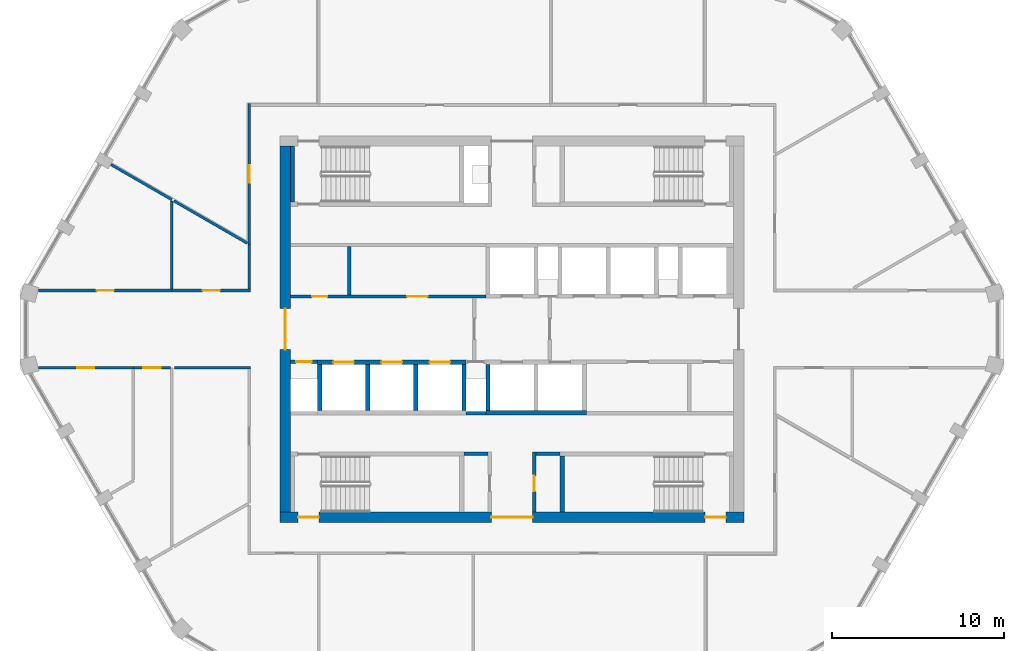
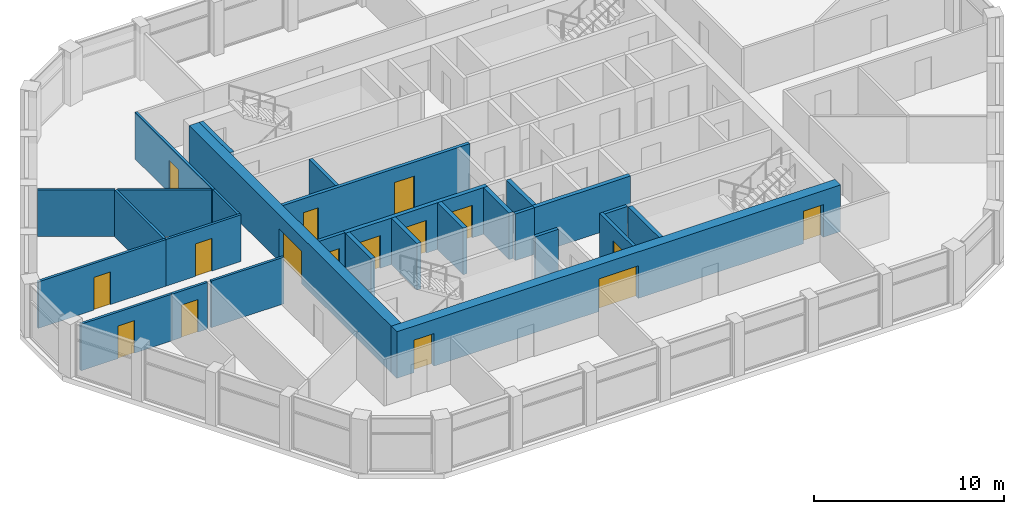
# One storey, part 9 of 15: 28 walls, 16 doors, 16 openings.
"""IFC4 building model written with IfcOpenShell, lengths in metres."""

from ifc_helpers import new_model, si_unit, direction, frame, frame_2d, origin, place, context, subcontext, project, spatial, polyline, rectangle, outline, extrude, material, layer, layer_set, type_object, element, fill, save


model = new_model("IFC4")

# Units and contexts
model_context = context("Model", 3, precision=1e-05, world=origin(), true_north=direction((0.0, 1.0)))
body_context = subcontext(model_context, "Body", "Model", "MODEL_VIEW")
ifc_project = project(units=[si_unit("LENGTHUNIT", "METRE"), si_unit("AREAUNIT", "SQUARE_METRE"), si_unit("VOLUMEUNIT", "CUBIC_METRE"), si_unit("PLANEANGLEUNIT", "RADIAN"), si_unit("MASSUNIT", "GRAM", prefix="KILO")], contexts=[model_context])

# Site, building, storey
site_placement = place(None, origin())
site = spatial("IfcSite", under=ifc_project, at=site_placement, CompositionType="ELEMENT")
building_placement = place(site_placement, origin())
building = spatial("IfcBuilding", under=site, at=building_placement, Name="Dhurran Vertical Campus", CompositionType="ELEMENT")
storey_placement = place(building_placement, frame((0.0, 0.0, 306.0)))
storey = spatial("IfcBuildingStorey", under=building, at=storey_placement, Name="L76", CompositionType="ELEMENT", Elevation=306.0)

# Wall, openings, doors
ifc_material_1 = material(Name="Concrete C50/60", Category="concrete")
ifc_layer_1 = layer(ifc_material_1, 0.60009765625)
ifc_layer_set_1 = layer_set([ifc_layer_1], Name="Concrete C50/60")
wall_type_1 = type_object("IfcWallType", Name="co-CORE-WALL-C2-600", PredefinedType="SHEAR", material=ifc_layer_set_1)
wall_1_placement = place(storey_placement, frame((-13.5, -10.949951171875, 0.0), z_axis=(0.0, 0.0, 1.0), x_axis=(1.0, 0.0, 0.0)))
wall_1 = element("IfcWall", 1, at=wall_1_placement, inside=storey, type_object=wall_type_1, Name="Core wall S L76", PredefinedType="SHEAR", context=body_context, shape_type="SweptSolid", body=[
    extrude(rectangle(XDim=27.0, YDim=0.60009765625, at=frame_2d((13.5, 0.0))), origin(), (0.0, 0.0, 1.0), 3.0),
])
opening_1_placement = place(wall_1_placement, frame((12.300048828125, 0.0, 0.0)))
opening_1 = element("IfcOpeningElement", 2, at=opening_1_placement, cuts=wall_1, Name="Opening CV2", PredefinedType="OPENING", context=body_context, shape_type="SweptSolid", body=[
    extrude(rectangle(XDim=2.39990234375, YDim=2.10009765625, at=frame_2d((1.199951171875, 1.050048828125))), frame((0.0, 0.31005859375, 0.0), z_axis=(0.0, -1.0, 0.0), x_axis=(1.0, 0.0, 0.0)), (0.0, 0.0, 1.0), 0.6201171875),
])
opening_2_placement = place(wall_1_placement, frame((1.050048828125, 0.0, 0.0)))
opening_2 = element("IfcOpeningElement", 3, at=opening_2_placement, cuts=wall_1, Name="Opening XD3", PredefinedType="OPENING", context=body_context, shape_type="SweptSolid", body=[
    extrude(rectangle(XDim=1.199951171875, YDim=2.10009765625, at=frame_2d((0.60009765625, 1.050048828125))), frame((0.0, 0.31005859375, 0.0), z_axis=(0.0, -1.0, 0.0), x_axis=(1.0, 0.0, 0.0)), (0.0, 0.0, 1.0), 0.6201171875),
])
opening_3_placement = place(wall_1_placement, frame((24.75, 0.0, 0.0)))
opening_3 = element("IfcOpeningElement", 4, at=opening_3_placement, cuts=wall_1, Name="Opening XD4", PredefinedType="OPENING", context=body_context, shape_type="SweptSolid", body=[
    extrude(rectangle(XDim=1.199951171875, YDim=2.10009765625, at=frame_2d((0.60009765625, 1.050048828125))), frame((0.0, 0.31005859375, 0.0), z_axis=(0.0, -1.0, 0.0), x_axis=(1.0, 0.0, 0.0)), (0.0, 0.0, 1.0), 0.6201171875),
])
ifc_material_2 = material(Name="Fire-rated glazed door set")
door_type_1 = type_object("IfcDoorType", Name="co-D-LOBBY 2400x2100", OperationType="DOUBLE_DOOR_DOUBLE_SWING", PredefinedType="DOOR", material=ifc_material_2)
door_1_placement = place(opening_1_placement, origin())
door_1 = element("IfcDoor", 5, at=door_1_placement, inside=storey, type_object=door_type_1, Name="Core vestibule door S L76", OperationType="DOUBLE_DOOR_DOUBLE_SWING", OverallHeight=2.10009765625, OverallWidth=2.39990234375, PredefinedType="DOOR", context=body_context, shape_type="SweptSolid", body=[
    extrude(rectangle(XDim=2.39990234375, YDim=2.10009765625, at=frame_2d((1.199951171875, 1.050048828125))), frame((0.0, 0.02490234375, 0.0), z_axis=(0.0, -1.0, 0.0), x_axis=(1.0, 0.0, 0.0)), (0.0, 0.0, 1.0), 0.050048828125),
])
fill(opening_1, door_1)
ifc_material_3 = material(Name="Fire-rated steel door set", Category="steel")
door_type_2 = type_object("IfcDoorType", Name="co-D-STAIR-EXIT 1200x2100", OperationType="SINGLE_SWING_RIGHT", PredefinedType="DOOR", material=ifc_material_3)
door_2_placement = place(opening_2_placement, origin())
door_2 = element("IfcDoor", 6, at=door_2_placement, inside=storey, type_object=door_type_2, Name="Stair ST3 exit door L76", OperationType="SINGLE_SWING_RIGHT", OverallHeight=2.10009765625, OverallWidth=1.199951171875, PredefinedType="DOOR", context=body_context, shape_type="SweptSolid", body=[
    extrude(rectangle(XDim=1.199951171875, YDim=2.10009765625, at=frame_2d((0.60009765625, 1.050048828125))), frame((0.0, 0.02490234375, 0.0), z_axis=(0.0, -1.0, 0.0), x_axis=(1.0, 0.0, 0.0)), (0.0, 0.0, 1.0), 0.050048828125),
])
fill(opening_2, door_2)
door_3_placement = place(opening_3_placement, origin())
door_3 = element("IfcDoor", 7, at=door_3_placement, inside=storey, type_object=door_type_2, Name="Stair ST4 exit door L76", OperationType="SINGLE_SWING_RIGHT", OverallHeight=2.10009765625, OverallWidth=1.199951171875, PredefinedType="DOOR", context=body_context, shape_type="SweptSolid", body=[
    extrude(rectangle(XDim=1.199951171875, YDim=2.10009765625, at=frame_2d((0.60009765625, 1.050048828125))), frame((0.0, 0.02490234375, 0.0), z_axis=(0.0, -1.0, 0.0), x_axis=(1.0, 0.0, 0.0)), (0.0, 0.0, 1.0), 0.050048828125),
])
fill(opening_3, door_3)

# Wall, opening, door
wall_2_placement = place(storey_placement, frame((-13.199951171875, -10.64990234375, 0.0), z_axis=(0.0, 0.0, 1.0), x_axis=(0.0, 1.0, 0.0)))
wall_2 = element("IfcWall", 8, at=wall_2_placement, inside=storey, type_object=wall_type_1, Name="Core wall W L76", PredefinedType="SHEAR", context=body_context, shape_type="SweptSolid", body=[
    extrude(rectangle(XDim=21.2998046875, YDim=0.60009765625, at=frame_2d((10.64990234375, 0.0))), origin(), (0.0, 0.0, 1.0), 3.0),
])
opening_4_placement = place(wall_2_placement, frame((9.449951171875, 0.0, 0.0)))
opening_4 = element("IfcOpeningElement", 9, at=opening_4_placement, cuts=wall_2, Name="Opening CL1", PredefinedType="OPENING", context=body_context, shape_type="SweptSolid", body=[
    extrude(rectangle(XDim=2.39990234375, YDim=2.10009765625, at=frame_2d((1.199951171875, 1.050048828125))), frame((0.0, 0.31005859375, 0.0), z_axis=(0.0, -1.0, 0.0), x_axis=(1.0, 0.0, 0.0)), (0.0, 0.0, 1.0), 0.6201171875),
])
door_4_placement = place(opening_4_placement, origin())
door_4 = element("IfcDoor", 10, at=door_4_placement, inside=storey, type_object=door_type_1, Name="Lift lobby door W L76", OperationType="DOUBLE_DOOR_DOUBLE_SWING", OverallHeight=2.10009765625, OverallWidth=2.39990234375, PredefinedType="DOOR", context=body_context, shape_type="SweptSolid", body=[
    extrude(rectangle(XDim=2.39990234375, YDim=2.10009765625, at=frame_2d((1.199951171875, 1.050048828125))), frame((0.0, 0.02490234375, 0.0), z_axis=(0.0, -1.0, 0.0), x_axis=(1.0, 0.0, 0.0)), (0.0, 0.0, 1.0), 0.050048828125),
])
fill(opening_4, door_4)

# Walls
ifc_material_4 = material(Name="Fire-rated masonry blockwork", Category="masonry")
ifc_layer_2 = layer(ifc_material_4, 0.199951171875)
ifc_layer_set_2 = layer_set([ifc_layer_2], Name="Fire-rated masonry blockwork")
wall_type_2 = type_object("IfcWallType", Name="co-FIRE-PARTITION-200", PredefinedType="PARTITIONING", material=ifc_layer_set_2)
for number, where, z_axis, x_axis, name in (
    (11, (-2.800048828125, -7.25, 0.0), (0.0, 0.0, 1.0), (1.0, 0.0, 0.0), "Core partition sl-SW-S L76"),
    (12, (1.39990234375, -7.25, 0.0), (0.0, 0.0, 1.0), (1.0, 0.0, 0.0), "Core partition sl-SE-S L76"),
):
    element("IfcWall", number, at=place(storey_placement, frame(where, z_axis=z_axis, x_axis=x_axis)), inside=storey, type_object=wall_type_2, Name=name, PredefinedType="PARTITIONING", context=body_context, shape_type="SweptSolid", body=[
        extrude(rectangle(XDim=1.400146484375, YDim=0.199951171875, at=frame_2d((0.7001953125, 0.0))), origin(), (0.0, 0.0, 1.0), 3.0),
    ])

# Wall, opening, door
wall_3_placement = place(storey_placement, frame((1.300048828125, -10.64990234375, 0.0), z_axis=(0.0, 0.0, 1.0), x_axis=(0.0, 1.0, 0.0)))
wall_3 = element("IfcWall", 13, at=wall_3_placement, inside=storey, type_object=wall_type_2, Name="Core partition vest-SE L76", PredefinedType="PARTITIONING", context=body_context, shape_type="SweptSolid", body=[
    extrude(rectangle(XDim=3.5, YDim=0.199951171875, at=frame_2d((1.75, 0.0))), origin(), (0.0, 0.0, 1.0), 3.0),
])
opening_5_placement = place(wall_3_placement, frame((1.199951171875, 0.0, 0.0)))
opening_5 = element("IfcOpeningElement", 14, at=opening_5_placement, cuts=wall_3, Name="Opening T22-C2", PredefinedType="OPENING", context=body_context, shape_type="SweptSolid", body=[
    extrude(rectangle(XDim=0.89990234375, YDim=2.10009765625, at=frame_2d((0.449951171875, 1.050048828125))), frame((0.0, 0.10986328125, 0.0), z_axis=(0.0, -1.0, 0.0), x_axis=(1.0, 0.0, 0.0)), (0.0, 0.0, 1.0), 0.219970703125),
])
ifc_material_5 = material(Name="Fire-rated timber door set", Category="wood")
door_type_3 = type_object("IfcDoorType", Name="co-D-ROOM 900x2100", OperationType="SINGLE_SWING_LEFT", PredefinedType="DOOR", material=ifc_material_5)
door_5_placement = place(opening_5_placement, origin())
door_5 = element("IfcDoor", 15, at=door_5_placement, inside=storey, type_object=door_type_3, Name="Cleaner's store door L76", OperationType="SINGLE_SWING_LEFT", OverallHeight=2.10009765625, OverallWidth=0.89990234375, PredefinedType="DOOR", context=body_context, shape_type="SweptSolid", body=[
    extrude(rectangle(XDim=0.89990234375, YDim=2.10009765625, at=frame_2d((0.449951171875, 1.050048828125))), frame((0.0, 0.02490234375, 0.0), z_axis=(0.0, -1.0, 0.0), x_axis=(1.0, 0.0, 0.0)), (0.0, 0.0, 1.0), 0.050048828125),
])
fill(opening_5, door_5)

# Wall
wall_4_placement = place(storey_placement, frame((-9.487548828125, 2.0, 0.0), z_axis=(0.0, 0.0, 1.0), x_axis=(0.0, 1.0, 0.0)))
element("IfcWall", 16, at=wall_4_placement, inside=storey, type_object=wall_type_2, Name="Core partition fr-N0-cut0 L76", PredefinedType="PARTITIONING", context=body_context, shape_type="SweptSolid", body=[
    extrude(rectangle(XDim=2.800048828125, YDim=0.199951171875, at=frame_2d((1.39990234375, 0.0))), origin(), (0.0, 0.0, 1.0), 3.0),
])

# Wall, openings, doors
wall_5_placement = place(storey_placement, frame((-12.89990234375, 1.89990234375, 0.0), z_axis=(0.0, 0.0, 1.0), x_axis=(1.0, 0.0, 0.0)))
wall_5 = element("IfcWall", 17, at=wall_5_placement, inside=storey, type_object=wall_type_2, Name="Core partition fr-N0-f L76", PredefinedType="PARTITIONING", context=body_context, shape_type="SweptSolid", body=[
    extrude(rectangle(XDim=11.375, YDim=0.199951171875, at=frame_2d((5.6875, 0.0))), origin(), (0.0, 0.0, 1.0), 3.0),
])
opening_6_placement = place(wall_5_placement, frame((1.25634765625, 0.0, 0.0)))
opening_6 = element("IfcOpeningElement", 18, at=opening_6_placement, cuts=wall_5, Name="Opening T22-C5", PredefinedType="OPENING", context=body_context, shape_type="SweptSolid", body=[
    extrude(rectangle(XDim=0.89990234375, YDim=2.10009765625, at=frame_2d((0.449951171875, 1.050048828125))), frame((0.0, 0.10986328125, 0.0), z_axis=(0.0, -1.0, 0.0), x_axis=(1.0, 0.0, 0.0)), (0.0, 0.0, 1.0), 0.219970703125),
])
opening_7_placement = place(wall_5_placement, frame((6.793701171875, 0.0, 0.0)))
opening_7 = element("IfcOpeningElement", 19, at=opening_7_placement, cuts=wall_5, Name="Opening T22-C6", PredefinedType="OPENING", context=body_context, shape_type="SweptSolid", body=[
    extrude(rectangle(XDim=1.199951171875, YDim=2.10009765625, at=frame_2d((0.60009765625, 1.050048828125))), frame((0.0, 0.10986328125, 0.0), z_axis=(0.0, -1.0, 0.0), x_axis=(1.0, 0.0, 0.0)), (0.0, 0.0, 1.0), 0.219970703125),
])
door_6_placement = place(opening_6_placement, origin())
door_6 = element("IfcDoor", 20, at=door_6_placement, inside=storey, type_object=door_type_3, Name="Communications room door L76", OperationType="SINGLE_SWING_LEFT", OverallHeight=2.10009765625, OverallWidth=0.89990234375, PredefinedType="DOOR", context=body_context, shape_type="SweptSolid", body=[
    extrude(rectangle(XDim=0.89990234375, YDim=2.10009765625, at=frame_2d((0.449951171875, 1.050048828125))), frame((0.0, 0.02490234375, 0.0), z_axis=(0.0, -1.0, 0.0), x_axis=(1.0, 0.0, 0.0)), (0.0, 0.0, 1.0), 0.050048828125),
])
fill(opening_6, door_6)
ifc_material_6 = material(Name="Fire-rated steel door set", Category="steel")
door_type_4 = type_object("IfcDoorType", Name="co-D-ROOM-PASSAGE 1200x2100", OperationType="SINGLE_SWING_RIGHT", PredefinedType="DOOR", material=ifc_material_6)
door_7_placement = place(opening_7_placement, origin())
door_7 = element("IfcDoor", 21, at=door_7_placement, inside=storey, type_object=door_type_4, Name="Plant room door L76", OperationType="SINGLE_SWING_RIGHT", OverallHeight=2.10009765625, OverallWidth=1.199951171875, PredefinedType="DOOR", context=body_context, shape_type="SweptSolid", body=[
    extrude(rectangle(XDim=1.199951171875, YDim=2.10009765625, at=frame_2d((0.60009765625, 1.050048828125))), frame((0.0, 0.02490234375, 0.0), z_axis=(0.0, -1.0, 0.0), x_axis=(1.0, 0.0, 0.0)), (0.0, 0.0, 1.0), 0.050048828125),
])
fill(opening_7, door_7)

# Wall, opening, door
wall_6_placement = place(storey_placement, frame((-12.89990234375, -1.89990234375, 0.0), z_axis=(0.0, 0.0, 1.0), x_axis=(1.0, 0.0, 0.0)))
wall_6 = element("IfcWall", 22, at=wall_6_placement, inside=storey, type_object=wall_type_2, Name="Core partition fr-S0-f L76", PredefinedType="PARTITIONING", context=body_context, shape_type="SweptSolid", body=[
    extrude(rectangle(XDim=1.574951171875, YDim=0.199951171875, at=frame_2d((0.78759765625, 0.0))), origin(), (0.0, 0.0, 1.0), 3.0),
])
opening_8_placement = place(wall_6_placement, frame((0.33740234375, 0.0, 0.0)))
opening_8 = element("IfcOpeningElement", 23, at=opening_8_placement, cuts=wall_6, Name="Opening T22-C9", PredefinedType="OPENING", context=body_context, shape_type="SweptSolid", body=[
    extrude(rectangle(XDim=0.89990234375, YDim=2.10009765625, at=frame_2d((0.449951171875, 1.050048828125))), frame((0.0, 0.10986328125, 0.0), z_axis=(0.0, -1.0, 0.0), x_axis=(1.0, 0.0, 0.0)), (0.0, 0.0, 1.0), 0.219970703125),
])
door_8_placement = place(opening_8_placement, origin())
door_8 = element("IfcDoor", 24, at=door_8_placement, inside=storey, type_object=door_type_3, Name="Water riser door L76", OperationType="SINGLE_SWING_LEFT", OverallHeight=2.10009765625, OverallWidth=0.89990234375, PredefinedType="DOOR", context=body_context, shape_type="SweptSolid", body=[
    extrude(rectangle(XDim=0.89990234375, YDim=2.10009765625, at=frame_2d((0.449951171875, 1.050048828125))), frame((0.0, 0.02490234375, 0.0), z_axis=(0.0, -1.0, 0.0), x_axis=(1.0, 0.0, 0.0)), (0.0, 0.0, 1.0), 0.050048828125),
])
fill(opening_8, door_8)

# Wall
wall_7_placement = place(storey_placement, frame((-2.675048828125, -4.89990234375, 0.0), z_axis=(0.0, 0.0, 1.0), x_axis=(1.0, 0.0, 0.0)))
element("IfcWall", 25, at=wall_7_placement, inside=storey, type_object=wall_type_2, Name="Core partition fr-S1-b L76", PredefinedType="PARTITIONING", context=body_context, shape_type="SweptSolid", body=[
    extrude(rectangle(XDim=1.150146484375, YDim=0.199951171875, at=frame_2d((0.5751953125, 0.0))), origin(), (0.0, 0.0, 1.0), 3.0),
])

# Wall, openings, doors
ifc_material_7 = material(Name="Concrete C50/60", Category="concrete")
ifc_layer_3 = layer(ifc_material_7, 0.25)
ifc_layer_set_3 = layer_set([ifc_layer_3], Name="Concrete C50/60")
wall_type_3 = type_object("IfcWallType", Name="co-SHAFT-FRONT-250", PredefinedType="SHEAR", material=ifc_layer_set_3)
wall_8_placement = place(storey_placement, frame((-11.324951171875, -1.925048828125, 0.0), z_axis=(0.0, 0.0, 1.0), x_axis=(1.0, 0.0, 0.0)))
wall_8 = element("IfcWall", 26, at=wall_8_placement, inside=storey, type_object=wall_type_3, Name="Lift landing wall S L76", PredefinedType="SHEAR", context=body_context, shape_type="SweptSolid", body=[
    extrude(rectangle(XDim=8.64990234375, YDim=0.25, at=frame_2d((4.324951171875, 0.0))), origin(), (0.0, 0.0, 1.0), 3.0),
])
opening_9_placement = place(wall_8_placement, frame((0.925048828125, 0.0, 0.0)))
opening_9 = element("IfcOpeningElement", 27, at=opening_9_placement, cuts=wall_8, Name="Opening LD", PredefinedType="OPENING", context=body_context, shape_type="SweptSolid", body=[
    extrude(rectangle(XDim=1.199951171875, YDim=2.10009765625, at=frame_2d((0.60009765625, 1.050048828125))), frame((0.0, 0.135009765625, 0.0), z_axis=(0.0, -1.0, 0.0), x_axis=(1.0, 0.0, 0.0)), (0.0, 0.0, 1.0), 0.27001953125),
])
opening_10_placement = place(wall_8_placement, frame((3.72509765625, 0.0, 0.0)))
opening_10 = element("IfcOpeningElement", 28, at=opening_10_placement, cuts=wall_8, Name="Opening LD", PredefinedType="OPENING", context=body_context, shape_type="SweptSolid", body=[
    extrude(rectangle(XDim=1.199951171875, YDim=2.10009765625, at=frame_2d((0.60009765625, 1.050048828125))), frame((0.0, 0.135009765625, 0.0), z_axis=(0.0, -1.0, 0.0), x_axis=(1.0, 0.0, 0.0)), (0.0, 0.0, 1.0), 0.27001953125),
])
opening_11_placement = place(wall_8_placement, frame((6.52490234375, 0.0, 0.0)))
opening_11 = element("IfcOpeningElement", 29, at=opening_11_placement, cuts=wall_8, Name="Opening LD", PredefinedType="OPENING", context=body_context, shape_type="SweptSolid", body=[
    extrude(rectangle(XDim=1.199951171875, YDim=2.10009765625, at=frame_2d((0.60009765625, 1.050048828125))), frame((0.0, 0.135009765625, 0.0), z_axis=(0.0, -1.0, 0.0), x_axis=(1.0, 0.0, 0.0)), (0.0, 0.0, 1.0), 0.27001953125),
])
ifc_material_8 = material(Name="Stainless steel landing door", Category="steel")
door_type_5 = type_object("IfcDoorType", Name="co-D-LANDING 1200x2100", OperationType="DOUBLE_DOOR_SLIDING", PredefinedType="DOOR", material=ifc_material_8)
door_9_placement = place(opening_9_placement, origin())
door_9 = element("IfcDoor", 30, at=door_9_placement, inside=storey, type_object=door_type_5, Name="Landing door HR3 L76", OperationType="DOUBLE_DOOR_SLIDING", OverallHeight=2.10009765625, OverallWidth=1.199951171875, PredefinedType="DOOR", context=body_context, shape_type="SweptSolid", body=[
    extrude(rectangle(XDim=1.199951171875, YDim=2.10009765625, at=frame_2d((0.60009765625, 1.050048828125))), frame((0.0, 0.02490234375, 0.0), z_axis=(0.0, -1.0, 0.0), x_axis=(1.0, 0.0, 0.0)), (0.0, 0.0, 1.0), 0.050048828125),
])
fill(opening_9, door_9)
door_10_placement = place(opening_10_placement, origin())
door_10 = element("IfcDoor", 31, at=door_10_placement, inside=storey, type_object=door_type_5, Name="Landing door HR4 L76", OperationType="DOUBLE_DOOR_SLIDING", OverallHeight=2.10009765625, OverallWidth=1.199951171875, PredefinedType="DOOR", context=body_context, shape_type="SweptSolid", body=[
    extrude(rectangle(XDim=1.199951171875, YDim=2.10009765625, at=frame_2d((0.60009765625, 1.050048828125))), frame((0.0, 0.02490234375, 0.0), z_axis=(0.0, -1.0, 0.0), x_axis=(1.0, 0.0, 0.0)), (0.0, 0.0, 1.0), 0.050048828125),
])
fill(opening_10, door_10)
door_11_placement = place(opening_11_placement, origin())
door_11 = element("IfcDoor", 32, at=door_11_placement, inside=storey, type_object=door_type_5, Name="Landing door HR5 L76", OperationType="DOUBLE_DOOR_SLIDING", OverallHeight=2.10009765625, OverallWidth=1.199951171875, PredefinedType="DOOR", context=body_context, shape_type="SweptSolid", body=[
    extrude(rectangle(XDim=1.199951171875, YDim=2.10009765625, at=frame_2d((0.60009765625, 1.050048828125))), frame((0.0, 0.02490234375, 0.0), z_axis=(0.0, -1.0, 0.0), x_axis=(1.0, 0.0, 0.0)), (0.0, 0.0, 1.0), 0.050048828125),
])
fill(opening_11, door_11)

# Walls
ifc_material_9 = material(Name="Concrete C50/60", Category="concrete")
ifc_layer_4 = layer(ifc_material_9, 0.25)
ifc_layer_set_4 = layer_set([ifc_layer_4], Name="Concrete C50/60")
wall_type_4 = type_object("IfcWallType", Name="co-SHAFT-MASS-250", PredefinedType="SHEAR", material=ifc_layer_set_4)
wall_9_placement = place(storey_placement, origin())
element("IfcWall", 33, at=wall_9_placement, inside=storey, type_object=wall_type_4, Name="Lift shaft wall S L76 2", PredefinedType="SHEAR", context=body_context, shape_type="SweptSolid", body=[
    extrude(outline(polyline([(-1.52490234375, -5.0), (4.324951171875, -5.0), (4.324951171875, -4.75), (-1.52490234375, -4.75), (-1.52490234375, -5.0)])), origin(), (0.0, 0.0, 1.0), 3.0),
])
wall_10_placement = place(storey_placement, origin())
element("IfcWall", 34, at=wall_10_placement, inside=storey, type_object=wall_type_4, Name="Lift shaft wall S L76 3", PredefinedType="SHEAR", context=body_context, shape_type="SweptSolid", body=[
    extrude(outline(polyline([(-11.324951171875, -4.75), (-11.074951171875, -4.75), (-11.074951171875, -2.050048828125), (-11.324951171875, -2.050048828125), (-11.324951171875, -4.75)])), origin(), (0.0, 0.0, 1.0), 3.0),
])
wall_11_placement = place(storey_placement, origin())
element("IfcWall", 35, at=wall_11_placement, inside=storey, type_object=wall_type_4, Name="Lift shaft wall S L76 4", PredefinedType="SHEAR", context=body_context, shape_type="SweptSolid", body=[
    extrude(outline(polyline([(-8.52490234375, -4.75), (-8.27490234375, -4.75), (-8.27490234375, -2.050048828125), (-8.52490234375, -2.050048828125), (-8.52490234375, -4.75)])), origin(), (0.0, 0.0, 1.0), 3.0),
])
wall_12_placement = place(storey_placement, origin())
element("IfcWall", 36, at=wall_12_placement, inside=storey, type_object=wall_type_4, Name="Lift shaft wall S L76 5", PredefinedType="SHEAR", context=body_context, shape_type="SweptSolid", body=[
    extrude(outline(polyline([(-5.72509765625, -4.75), (-5.47509765625, -4.75), (-5.47509765625, -2.050048828125), (-5.72509765625, -2.050048828125), (-5.72509765625, -4.75)])), origin(), (0.0, 0.0, 1.0), 3.0),
])
wall_13_placement = place(storey_placement, origin())
element("IfcWall", 37, at=wall_13_placement, inside=storey, type_object=wall_type_4, Name="Lift shaft wall S L76 6", PredefinedType="SHEAR", context=body_context, shape_type="SweptSolid", body=[
    extrude(outline(polyline([(-2.925048828125, -4.75), (-2.675048828125, -4.75), (-2.675048828125, -2.050048828125), (-2.925048828125, -2.050048828125), (-2.925048828125, -4.75)])), origin(), (0.0, 0.0, 1.0), 3.0),
])
wall_14_placement = place(storey_placement, origin())
element("IfcWall", 38, at=wall_14_placement, inside=storey, type_object=wall_type_4, Name="Lift shaft wall S L76 7", PredefinedType="SHEAR", context=body_context, shape_type="SweptSolid", body=[
    extrude(outline(polyline([(-1.52490234375, -4.75), (-1.27490234375, -4.75), (-1.27490234375, -2.050048828125), (-1.52490234375, -2.050048828125), (-1.52490234375, -4.75)])), origin(), (0.0, 0.0, 1.0), 3.0),
])
ifc_material_10 = material(Name="Concrete C40/50", Category="concrete")
ifc_layer_5 = layer(ifc_material_10, 0.25)
ifc_layer_set_5 = layer_set([ifc_layer_5], Name="Concrete C40/50")
wall_type_5 = type_object("IfcWallType", Name="co-STAIR-WALL-250", PredefinedType="SHEAR", material=ifc_layer_set_5)
for number, where, z_axis, x_axis, name in (
    (39, (-12.77490234375, 7.39990234375, 0.0), (0.0, 0.0, 1.0), (0.0, 1.0, 0.0), "Stair ST1 enclosure wall L76"),
    (40, (2.925048828125, -10.64990234375, 0.0), (0.0, 0.0, 1.0), (0.0, 1.0, 0.0), "Stair ST4 enclosure wall L76"),
):
    element("IfcWall", number, at=place(storey_placement, frame(where, z_axis=z_axis, x_axis=x_axis)), inside=storey, type_object=wall_type_5, Name=name, PredefinedType="SHEAR", context=body_context, shape_type="SweptSolid", body=[
        extrude(rectangle(XDim=3.25, YDim=0.25, at=frame_2d((1.625, 0.0))), origin(), (0.0, 0.0, 1.0), 3.0),
    ])

# Wall, opening, door
ifc_material_11 = material(Name="Gypsum board corridor wall on steel studs", Category="steel")
ifc_layer_6 = layer(ifc_material_11, 0.14990234375)
ifc_layer_set_6 = layer_set([ifc_layer_6], Name="Gypsum board corridor wall on steel studs")
wall_type_6 = type_object("IfcWallType", Name="fl-CW-150 corridor wall", PredefinedType="PARTITIONING", material=ifc_layer_set_6)
wall_15_placement = place(storey_placement, frame((-22.050048828125, -2.25, 0.0), z_axis=(0.0, 0.0, 1.0), x_axis=(-1.0, 0.0, 0.0)))
wall_15 = element("IfcWall", 41, at=wall_15_placement, inside=storey, type_object=wall_type_6, Name="Partition 76-01", PredefinedType="PARTITIONING", context=body_context, shape_type="SweptSolid", body=[
    extrude(rectangle(XDim=5.519775390625, YDim=0.14990234375, at=frame_2d((2.759765625, 0.0))), origin(), (0.0, 0.0, 1.0), 3.0),
])
opening_12_placement = place(wall_15_placement, frame((2.260009765625, 0.0, 0.0)))
opening_12 = element("IfcOpeningElement", 42, at=opening_12_placement, cuts=wall_15, Name="Opening T22.01", PredefinedType="OPENING", context=body_context, shape_type="SweptSolid", body=[
    extrude(rectangle(XDim=1.0, YDim=2.10009765625, at=frame_2d((0.5, 1.050048828125))), frame((0.0, 0.0849609375, 0.0), z_axis=(0.0, -1.0, 0.0), x_axis=(1.0, 0.0, 0.0)), (0.0, 0.0, 1.0), 0.169921875),
])
ifc_material_12 = material(Name="Solid-core timber door set, fire-rated", Category="wood")
door_type_6 = type_object("IfcDoorType", Name="fl-D-1000x2100", OperationType="SINGLE_SWING_LEFT", PredefinedType="DOOR", material=ifc_material_12)
door_12_placement = place(opening_12_placement, origin())
door_12 = element("IfcDoor", 43, at=door_12_placement, inside=storey, type_object=door_type_6, Name="Door 76.01", OperationType="SINGLE_SWING_LEFT", OverallHeight=2.10009765625, OverallWidth=1.0, PredefinedType="DOOR", context=body_context, shape_type="SweptSolid", body=[
    extrude(rectangle(XDim=1.0, YDim=2.10009765625, at=frame_2d((0.5, 1.050048828125))), frame((0.0, 0.02490234375, 0.0), z_axis=(0.0, -1.0, 0.0), x_axis=(1.0, 0.0, 0.0)), (0.0, 0.0, 1.0), 0.050048828125),
])
fill(opening_12, door_12)

wall_16_placement = place(storey_placement, frame((-27.56982421875, 2.25, 0.0), z_axis=(0.0, 0.0, 1.0), x_axis=(1.0, 0.0, 0.0)))
wall_16 = element("IfcWall", 44, at=wall_16_placement, inside=storey, type_object=wall_type_6, Name="Partition 76-02", PredefinedType="PARTITIONING", context=body_context, shape_type="SweptSolid", body=[
    extrude(rectangle(XDim=7.769775390625, YDim=0.14990234375, at=frame_2d((3.884765625, 0.0))), origin(), (0.0, 0.0, 1.0), 3.0),
])
opening_13_placement = place(wall_16_placement, frame((3.385009765625, 0.0, 0.0)))
opening_13 = element("IfcOpeningElement", 45, at=opening_13_placement, cuts=wall_16, Name="Opening T22.02", PredefinedType="OPENING", context=body_context, shape_type="SweptSolid", body=[
    extrude(rectangle(XDim=1.0, YDim=2.10009765625, at=frame_2d((0.5, 1.050048828125))), frame((0.0, 0.0849609375, 0.0), z_axis=(0.0, -1.0, 0.0), x_axis=(1.0, 0.0, 0.0)), (0.0, 0.0, 1.0), 0.169921875),
])
door_13_placement = place(opening_13_placement, origin())
door_13 = element("IfcDoor", 46, at=door_13_placement, inside=storey, type_object=door_type_6, Name="Door 76.02", OperationType="SINGLE_SWING_RIGHT", OverallHeight=2.10009765625, OverallWidth=1.0, PredefinedType="DOOR", context=body_context, shape_type="SweptSolid", body=[
    extrude(rectangle(XDim=1.0, YDim=2.10009765625, at=frame_2d((0.5, 1.050048828125))), frame((0.0, 0.02490234375, 0.0), z_axis=(0.0, -1.0, 0.0), x_axis=(1.0, 0.0, 0.0)), (0.0, 0.0, 1.0), 0.050048828125),
])
fill(opening_13, door_13)

wall_17_placement = place(storey_placement, frame((-19.876953125, -2.25, 0.0), z_axis=(0.0, 0.0, 1.0), x_axis=(-1.0, 0.0, 0.0)))
wall_17 = element("IfcWall", 47, at=wall_17_placement, inside=storey, type_object=wall_type_6, Name="Partition 76-06", PredefinedType="PARTITIONING", context=body_context, shape_type="SweptSolid", body=[
    extrude(rectangle(XDim=2.173095703125, YDim=0.14990234375, at=frame_2d((1.08642578125, 0.0))), origin(), (0.0, 0.0, 1.0), 3.0),
])
opening_14_placement = place(wall_17_placement, frame((0.58642578125, 0.0, 0.0)))
opening_14 = element("IfcOpeningElement", 48, at=opening_14_placement, cuts=wall_17, Name="Opening T22.03", PredefinedType="OPENING", context=body_context, shape_type="SweptSolid", body=[
    extrude(rectangle(XDim=1.0, YDim=2.10009765625, at=frame_2d((0.5, 1.050048828125))), frame((0.0, 0.0849609375, 0.0), z_axis=(0.0, -1.0, 0.0), x_axis=(1.0, 0.0, 0.0)), (0.0, 0.0, 1.0), 0.169921875),
])
door_14_placement = place(opening_14_placement, origin())
door_14 = element("IfcDoor", 49, at=door_14_placement, inside=storey, type_object=door_type_6, Name="Door 76.03", OperationType="SINGLE_SWING_LEFT", OverallHeight=2.10009765625, OverallWidth=1.0, PredefinedType="DOOR", context=body_context, shape_type="SweptSolid", body=[
    extrude(rectangle(XDim=1.0, YDim=2.10009765625, at=frame_2d((0.5, 1.050048828125))), frame((0.0, 0.02490234375, 0.0), z_axis=(0.0, -1.0, 0.0), x_axis=(1.0, 0.0, 0.0)), (0.0, 0.0, 1.0), 0.050048828125),
])
fill(opening_14, door_14)

wall_18_placement = place(storey_placement, frame((-19.800048828125, 2.25, 0.0), z_axis=(0.0, 0.0, 1.0), x_axis=(1.0, 0.0, 0.0)))
wall_18 = element("IfcWall", 50, at=wall_18_placement, inside=storey, type_object=wall_type_6, Name="Partition 76-11", PredefinedType="PARTITIONING", context=body_context, shape_type="SweptSolid", body=[
    extrude(rectangle(XDim=4.574951171875, YDim=0.14990234375, at=frame_2d((2.28759765625, 0.0))), origin(), (0.0, 0.0, 1.0), 3.0),
])
opening_15_placement = place(wall_18_placement, frame((1.78759765625, 0.0, 0.0)))
opening_15 = element("IfcOpeningElement", 51, at=opening_15_placement, cuts=wall_18, Name="Opening T22.04", PredefinedType="OPENING", context=body_context, shape_type="SweptSolid", body=[
    extrude(rectangle(XDim=1.0, YDim=2.10009765625, at=frame_2d((0.5, 1.050048828125))), frame((0.0, 0.0849609375, 0.0), z_axis=(0.0, -1.0, 0.0), x_axis=(1.0, 0.0, 0.0)), (0.0, 0.0, 1.0), 0.169921875),
])
door_15_placement = place(opening_15_placement, origin())
door_15 = element("IfcDoor", 52, at=door_15_placement, inside=storey, type_object=door_type_6, Name="Door 76.04", OperationType="SINGLE_SWING_RIGHT", OverallHeight=2.10009765625, OverallWidth=1.0, PredefinedType="DOOR", context=body_context, shape_type="SweptSolid", body=[
    extrude(rectangle(XDim=1.0, YDim=2.10009765625, at=frame_2d((0.5, 1.050048828125))), frame((0.0, 0.02490234375, 0.0), z_axis=(0.0, -1.0, 0.0), x_axis=(1.0, 0.0, 0.0)), (0.0, 0.0, 1.0), 0.050048828125),
])
fill(opening_15, door_15)

# Walls
wall_19_placement = place(storey_placement, frame((-15.22509765625, -2.25, 0.0), z_axis=(0.0, 0.0, 1.0), x_axis=(-1.0, 0.0, 0.0)))
element("IfcWall", 53, at=wall_19_placement, inside=storey, type_object=wall_type_6, Name="Partition 76-13", PredefinedType="PARTITIONING", context=body_context, shape_type="SweptSolid", body=[
    extrude(rectangle(XDim=4.421875, YDim=0.14990234375, at=frame_2d((2.2109375, 0.0))), origin(), (0.0, 0.0, 1.0), 3.0),
])
wall_20_placement = place(storey_placement, frame((-15.300048828125, 4.93603515625, 0.0), z_axis=(0.0, 0.0, 1.0), x_axis=(0.0, -1.0, 0.0)))
element("IfcWall", 54, at=wall_20_placement, inside=storey, type_object=wall_type_6, Name="Partition 76-17", PredefinedType="PARTITIONING", context=body_context, shape_type="SweptSolid", body=[
    extrude(rectangle(XDim=2.611083984375, YDim=0.14990234375, at=frame_2d((1.3056640625, 0.0))), origin(), (0.0, 0.0, 1.0), 3.0),
])

# Wall, opening, door
wall_21_placement = place(storey_placement, frame((-15.300048828125, 13.125, 0.0), z_axis=(0.0, 0.0, 1.0), x_axis=(0.0, -1.0, 0.0)))
wall_21 = element("IfcWall", 55, at=wall_21_placement, inside=storey, type_object=wall_type_6, Name="Partition 76-18", PredefinedType="PARTITIONING", context=body_context, shape_type="SweptSolid", body=[
    extrude(rectangle(XDim=8.18896484375, YDim=0.14990234375, at=frame_2d((4.094482421875, 0.0))), origin(), (0.0, 0.0, 1.0), 3.0),
])
opening_16_placement = place(wall_21_placement, frame((3.594482421875, 0.0, 0.0)))
opening_16 = element("IfcOpeningElement", 56, at=opening_16_placement, cuts=wall_21, Name="Opening T22.06", PredefinedType="OPENING", context=body_context, shape_type="SweptSolid", body=[
    extrude(rectangle(XDim=1.0, YDim=2.10009765625, at=frame_2d((0.5, 1.050048828125))), frame((0.0, 0.0849609375, 0.0), z_axis=(0.0, -1.0, 0.0), x_axis=(1.0, 0.0, 0.0)), (0.0, 0.0, 1.0), 0.169921875),
])
door_16_placement = place(opening_16_placement, origin())
door_16 = element("IfcDoor", 57, at=door_16_placement, inside=storey, type_object=door_type_6, Name="Door 76.06", OperationType="SINGLE_SWING_LEFT", OverallHeight=2.10009765625, OverallWidth=1.0, PredefinedType="DOOR", context=body_context, shape_type="SweptSolid", body=[
    extrude(rectangle(XDim=1.0, YDim=2.10009765625, at=frame_2d((0.5, 1.050048828125))), frame((0.0, 0.02490234375, 0.0), z_axis=(0.0, -1.0, 0.0), x_axis=(1.0, 0.0, 0.0)), (0.0, 0.0, 1.0), 0.050048828125),
])
fill(opening_16, door_16)

# Walls
ifc_material_13 = material(Name="Gypsum board partition on steel studs", Category="steel")
ifc_layer_7 = layer(ifc_material_13, 0.14990234375)
ifc_layer_set_7 = layer_set([ifc_layer_7], Name="Gypsum board partition on steel studs")
wall_type_7 = type_object("IfcWallType", Name="fl-PW-150 fixed partition", PredefinedType="PARTITIONING", material=ifc_layer_set_7)
wall_22_placement = place(storey_placement, frame((-23.350341796875, 9.583984375, 0.0), z_axis=(0.0, 0.0, 1.0), x_axis=(0.865995170514, -0.500052361904, 0.0)))
element("IfcWall", 58, at=wall_22_placement, inside=storey, type_object=wall_type_7, Name="Partition 76-04", PredefinedType="PARTITIONING", context=body_context, shape_type="SweptSolid", body=[
    extrude(rectangle(XDim=4.099609375, YDim=0.14990234375, at=frame_2d((2.0498046875, 0.0))), origin(), (0.0, 0.0, 1.0), 3.0),
])
wall_23_placement = place(storey_placement, frame((-19.800048828125, 7.458984375, 0.0), z_axis=(0.0, 0.0, 1.0), x_axis=(0.0, -1.0, 0.0)))
element("IfcWall", 59, at=wall_23_placement, inside=storey, type_object=wall_type_7, Name="Partition 76-10", PredefinedType="PARTITIONING", context=body_context, shape_type="SweptSolid", body=[
    extrude(rectangle(XDim=5.134033203125, YDim=0.14990234375, at=frame_2d((2.56689453125, 0.0))), origin(), (0.0, 0.0, 1.0), 3.0),
])
wall_24_placement = place(storey_placement, frame((-19.6875, 7.468994140625, 0.0), z_axis=(0.0, 0.0, 1.0), x_axis=(0.866034039096, -0.499985042903, 0.0)))
element("IfcWall", 60, at=wall_24_placement, inside=storey, type_object=wall_type_7, Name="Partition 76-12", PredefinedType="PARTITIONING", context=body_context, shape_type="SweptSolid", body=[
    extrude(rectangle(XDim=4.936279296875, YDim=0.14990234375, at=frame_2d((2.46826171875, 0.0))), origin(), (0.0, 0.0, 1.0), 3.0),
])

save(model, "model.ifc")
